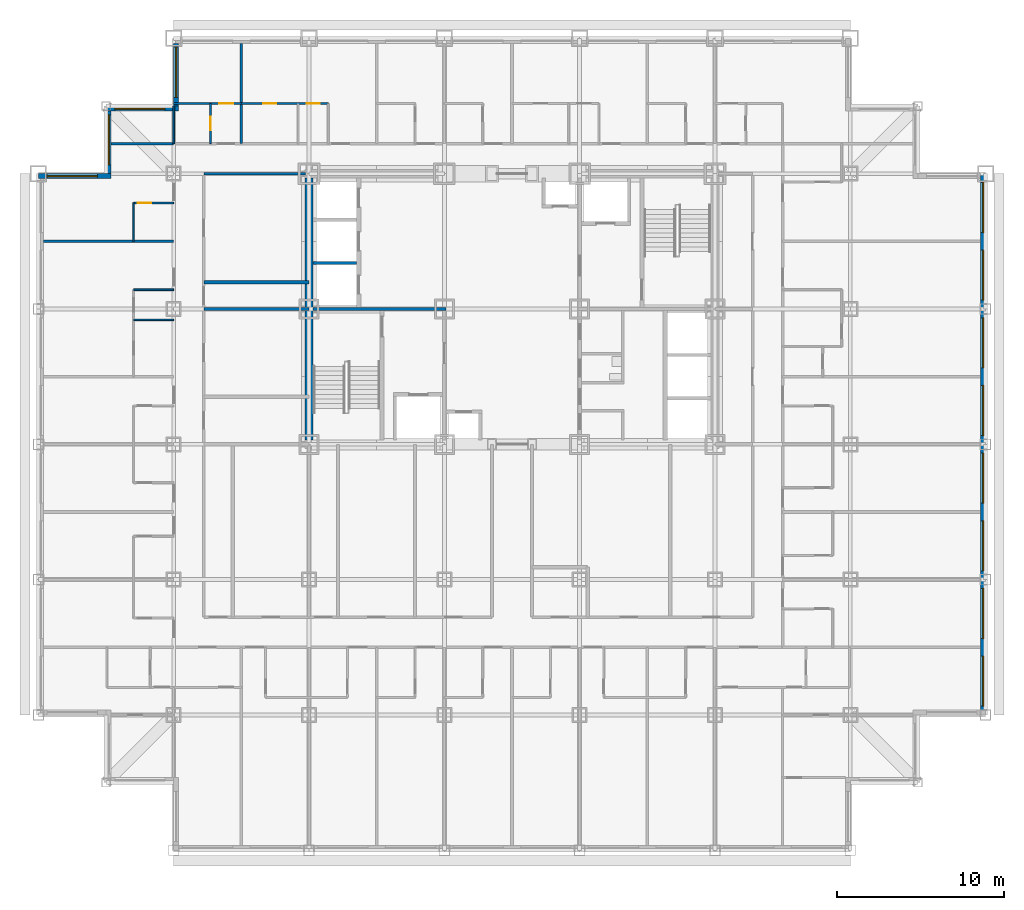
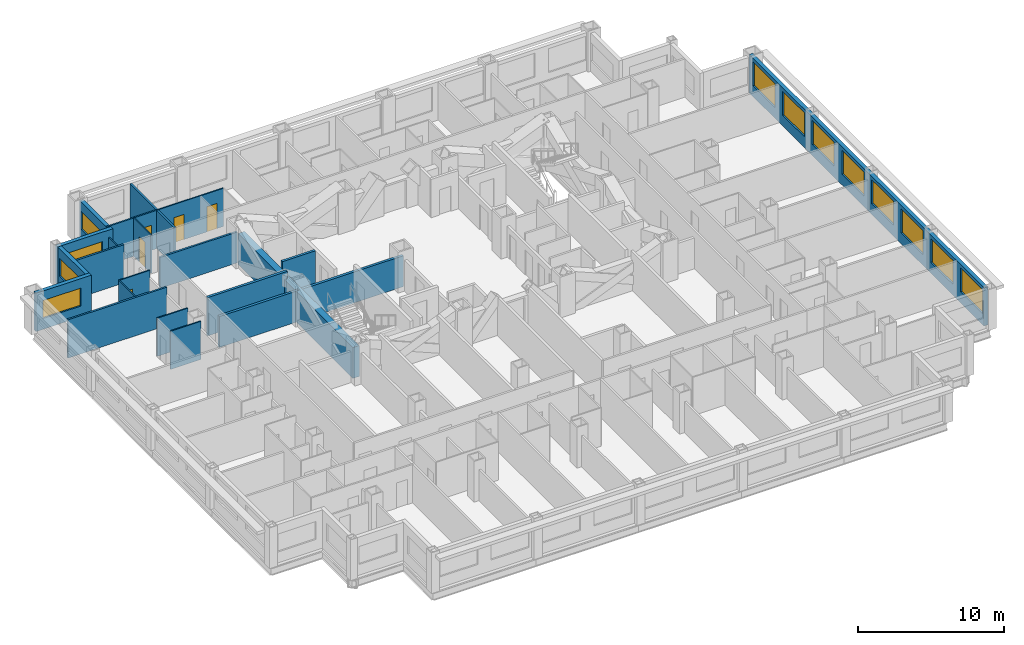
# One storey, part 8 of 13: 22 walls, 12 windows, 5 doors, 17 openings.
"""IFC4 building model written with IfcOpenShell, lengths in metres."""

from ifc_helpers import new_model, si_unit, direction, frame, frame_2d, origin, place, context, subcontext, project, spatial, rectangle, extrude, material, layer, layer_set, type_object, element, fill, save


model = new_model("IFC4")

# Units and contexts
model_context = context("Model", 3, precision=1e-05, world=origin(), true_north=direction((0.0, 1.0)))
body_context = subcontext(model_context, "Body", "Model", "MODEL_VIEW")
ifc_project = project(units=[si_unit("LENGTHUNIT", "METRE"), si_unit("AREAUNIT", "SQUARE_METRE"), si_unit("VOLUMEUNIT", "CUBIC_METRE"), si_unit("PLANEANGLEUNIT", "RADIAN"), si_unit("MASSUNIT", "GRAM", prefix="KILO")], contexts=[model_context])

# Site, building, storey
site_placement = place(None, origin())
site = spatial("IfcSite", under=ifc_project, at=site_placement, CompositionType="ELEMENT")
building_placement = place(site_placement, origin())
building = spatial("IfcBuilding", under=site, at=building_placement, Name="Kopane Lantern Tower", CompositionType="ELEMENT")
storey_placement = place(building_placement, frame((0.0, 0.0, 67.0)))
storey = spatial("IfcBuildingStorey", under=building, at=storey_placement, Name="L16", CompositionType="ELEMENT", Elevation=67.0)

# Wall, opening, door
ifc_material_1 = material(Name="Gypsum board on steel studs", Category="steel")
ifc_layer_1 = layer(ifc_material_1, 0.1201171875)
ifc_layer_set_1 = layer_set([ifc_layer_1], Name="APARTMENT INTERNAL WALL 120")
wall_type_1 = type_object("IfcWallType", Name="APARTMENT INTERNAL WALL 120", PredefinedType="PARTITIONING", material=ifc_layer_set_1)
wall_1_placement = place(storey_placement, frame((8.10009765625, 44.699951171875, 0.0), z_axis=(0.0, 0.0, 1.0), x_axis=(1.0, 0.0, 0.0)))
wall_1 = element("IfcWall", 1, at=wall_1_placement, inside=storey, type_object=wall_type_1, Name="Apartment Internal Wall 120 L16", PredefinedType="PARTITIONING", context=body_context, shape_type="SweptSolid", body=[
    extrude(rectangle(XDim=4.0498046875, YDim=0.1201171875, at=frame_2d((2.02490234375, 0.0))), origin(), (0.0, 0.0, 1.0), 3.18994140625),
])
opening_1_placement = place(wall_1_placement, frame((2.72509765625, 0.0, 0.0)))
opening_1 = element("IfcOpeningElement", 2, at=opening_1_placement, cuts=wall_1, Name="Opening L16-082", PredefinedType="OPENING", context=body_context, shape_type="SweptSolid", body=[
    extrude(rectangle(XDim=0.85009765625, YDim=2.10009765625, at=frame_2d((0.425048828125, 1.050048828125))), frame((0.0, 0.070068359375, 0.0), z_axis=(0.0, -1.0, 0.0), x_axis=(1.0, 0.0, 0.0)), (0.0, 0.0, 1.0), 0.14013671875),
])
ifc_material_2 = material(Name="Timber door set", Category="wood")
door_type_1 = type_object("IfcDoorType", Name="DOOR D4 850x2100", OperationType="SINGLE_SWING_LEFT", PredefinedType="DOOR", material=ifc_material_2)
door_1_placement = place(opening_1_placement, origin())
door_1 = element("IfcDoor", 3, at=door_1_placement, inside=storey, type_object=door_type_1, Name="Door L16-082", OperationType="SINGLE_SWING_LEFT", OverallHeight=2.10009765625, OverallWidth=0.85009765625, PredefinedType="DOOR", context=body_context, shape_type="SweptSolid", body=[
    extrude(rectangle(XDim=0.85009765625, YDim=2.10009765625, at=frame_2d((0.425048828125, 1.050048828125))), frame((0.0, 0.02490234375, 0.0), z_axis=(0.0, -1.0, 0.0), x_axis=(1.0, 0.0, 0.0)), (0.0, 0.0, 1.0), 0.050048828125),
])
fill(opening_1, door_1)

# Wall, openings, doors
ifc_material_3 = material(Name="Moisture-resistant board on steel studs", Category="steel")
ifc_layer_2 = layer(ifc_material_3, 0.10009765625)
ifc_layer_set_2 = layer_set([ifc_layer_2], Name="BATHROOM WALL 100")
wall_type_2 = type_object("IfcWallType", Name="BATHROOM WALL 100", PredefinedType="PARTITIONING", material=ifc_layer_set_2)
wall_2_placement = place(storey_placement, frame((12.14990234375, 44.699951171875, 0.0), z_axis=(0.0, 0.0, 1.0), x_axis=(1.0, 0.0, 0.0)))
wall_2 = element("IfcWall", 4, at=wall_2_placement, inside=storey, type_object=wall_type_2, Name="Bathroom Wall 100 L16", PredefinedType="PARTITIONING", context=body_context, shape_type="SweptSolid", body=[
    extrude(rectangle(XDim=5.2001953125, YDim=0.10009765625, at=frame_2d((2.60009765625, 0.0))), origin(), (0.0, 0.0, 1.0), 3.18994140625),
])
opening_2_placement = place(wall_2_placement, frame((1.300048828125, 0.0, 0.0)))
opening_2 = element("IfcOpeningElement", 5, at=opening_2_placement, cuts=wall_2, Name="Opening L16-029", PredefinedType="OPENING", context=body_context, shape_type="SweptSolid", body=[
    extrude(rectangle(XDim=0.800048828125, YDim=2.10009765625, at=frame_2d((0.39990234375, 1.050048828125))), frame((0.0, 0.06005859375, 0.0), z_axis=(0.0, -1.0, 0.0), x_axis=(1.0, 0.0, 0.0)), (0.0, 0.0, 1.0), 0.1201171875),
])
opening_3_placement = place(wall_2_placement, frame((3.89990234375, 0.0, 0.0)))
opening_3 = element("IfcOpeningElement", 6, at=opening_3_placement, cuts=wall_2, Name="Opening L16-030", PredefinedType="OPENING", context=body_context, shape_type="SweptSolid", body=[
    extrude(rectangle(XDim=0.800048828125, YDim=2.10009765625, at=frame_2d((0.39990234375, 1.050048828125))), frame((0.0, 0.06005859375, 0.0), z_axis=(0.0, -1.0, 0.0), x_axis=(1.0, 0.0, 0.0)), (0.0, 0.0, 1.0), 0.1201171875),
])
ifc_material_4 = material(Name="Timber door set", Category="wood")
door_type_2 = type_object("IfcDoorType", Name="DOOR D2 800x2100", OperationType="SINGLE_SWING_LEFT", PredefinedType="DOOR", material=ifc_material_4)
door_2_placement = place(opening_2_placement, origin())
door_2 = element("IfcDoor", 7, at=door_2_placement, inside=storey, type_object=door_type_2, Name="Door L16-029", OperationType="SINGLE_SWING_LEFT", OverallHeight=2.10009765625, OverallWidth=0.800048828125, PredefinedType="DOOR", context=body_context, shape_type="SweptSolid", body=[
    extrude(rectangle(XDim=0.800048828125, YDim=2.10009765625, at=frame_2d((0.39990234375, 1.050048828125))), frame((0.0, 0.02490234375, 0.0), z_axis=(0.0, -1.0, 0.0), x_axis=(1.0, 0.0, 0.0)), (0.0, 0.0, 1.0), 0.050048828125),
])
fill(opening_2, door_2)
door_3_placement = place(opening_3_placement, origin())
door_3 = element("IfcDoor", 8, at=door_3_placement, inside=storey, type_object=door_type_2, Name="Door L16-030", OperationType="SINGLE_SWING_LEFT", OverallHeight=2.10009765625, OverallWidth=0.800048828125, PredefinedType="DOOR", context=body_context, shape_type="SweptSolid", body=[
    extrude(rectangle(XDim=0.800048828125, YDim=2.10009765625, at=frame_2d((0.39990234375, 1.050048828125))), frame((0.0, 0.02490234375, 0.0), z_axis=(0.0, -1.0, 0.0), x_axis=(1.0, 0.0, 0.0)), (0.0, 0.0, 1.0), 0.050048828125),
])
fill(opening_3, door_3)

# Walls
for number, where, z_axis, x_axis, name in (
    (9, (8.10009765625, 31.75, 0.0), (0.0, 0.0, 1.0), (-1.0, 0.0, 0.0), "Bathroom Wall 100 L16"),
    (10, (8.10009765625, 33.550048828125, 0.0), (0.0, 0.0, 1.0), (-1.0, 0.0, 0.0), "Bathroom Wall 100 L16"),
):
    element("IfcWall", number, at=place(storey_placement, frame(where, z_axis=z_axis, x_axis=x_axis)), inside=storey, type_object=wall_type_2, Name=name, PredefinedType="PARTITIONING", context=body_context, shape_type="SweptSolid", body=[
        extrude(rectangle(XDim=2.400146484375, YDim=0.10009765625, at=frame_2d((1.2001953125, 0.0))), origin(), (0.0, 0.0, 1.0), 3.18994140625),
    ])
wall_3_placement = place(storey_placement, frame((5.699951171875, 36.449951171875, 0.0), z_axis=(0.0, 0.0, 1.0), x_axis=(0.0, 1.0, 0.0)))
element("IfcWall", 11, at=wall_3_placement, inside=storey, type_object=wall_type_2, Name="Bathroom Wall 100 L16", PredefinedType="PARTITIONING", context=body_context, shape_type="SweptSolid", body=[
    extrude(rectangle(XDim=2.300048828125, YDim=0.10009765625, at=frame_2d((1.14990234375, 0.0))), origin(), (0.0, 0.0, 1.0), 3.18994140625),
])

# Wall, opening, door
wall_4_placement = place(storey_placement, frame((8.10009765625, 38.75, 0.0), z_axis=(0.0, 0.0, 1.0), x_axis=(-1.0, 0.0, 0.0)))
wall_4 = element("IfcWall", 12, at=wall_4_placement, inside=storey, type_object=wall_type_2, Name="Bathroom Wall 100 L16", PredefinedType="PARTITIONING", context=body_context, shape_type="SweptSolid", body=[
    extrude(rectangle(XDim=2.400146484375, YDim=0.10009765625, at=frame_2d((1.2001953125, 0.0))), origin(), (0.0, 0.0, 1.0), 3.18994140625),
])
opening_4_placement = place(wall_4_placement, frame((1.35009765625, 0.0, 0.0)))
opening_4 = element("IfcOpeningElement", 13, at=opening_4_placement, cuts=wall_4, Name="Opening L16-052", PredefinedType="OPENING", context=body_context, shape_type="SweptSolid", body=[
    extrude(rectangle(XDim=0.800048828125, YDim=2.10009765625, at=frame_2d((0.39990234375, 1.050048828125))), frame((0.0, 0.06005859375, 0.0), z_axis=(0.0, -1.0, 0.0), x_axis=(1.0, 0.0, 0.0)), (0.0, 0.0, 1.0), 0.1201171875),
])
door_4_placement = place(opening_4_placement, origin())
door_4 = element("IfcDoor", 14, at=door_4_placement, inside=storey, type_object=door_type_2, Name="Door L16-052", OperationType="SINGLE_SWING_RIGHT", OverallHeight=2.10009765625, OverallWidth=0.800048828125, PredefinedType="DOOR", context=body_context, shape_type="SweptSolid", body=[
    extrude(rectangle(XDim=0.800048828125, YDim=2.10009765625, at=frame_2d((0.39990234375, 1.050048828125))), frame((0.0, 0.02490234375, 0.0), z_axis=(0.0, -1.0, 0.0), x_axis=(1.0, 0.0, 0.0)), (0.0, 0.0, 1.0), 0.050048828125),
])
fill(opening_4, door_4)

wall_5_placement = place(storey_placement, frame((10.300048828125, 42.300048828125, 0.0), z_axis=(0.0, 0.0, 1.0), x_axis=(0.0, 1.0, 0.0)))
wall_5 = element("IfcWall", 15, at=wall_5_placement, inside=storey, type_object=wall_type_2, Name="Bathroom Wall 100 L16", PredefinedType="PARTITIONING", context=body_context, shape_type="SweptSolid", body=[
    extrude(rectangle(XDim=2.39990234375, YDim=0.10009765625, at=frame_2d((1.199951171875, 0.0))), origin(), (0.0, 0.0, 1.0), 3.18994140625),
])
opening_5_placement = place(wall_5_placement, frame((0.800048828125, 0.0, 0.0)))
opening_5 = element("IfcOpeningElement", 16, at=opening_5_placement, cuts=wall_5, Name="Opening L16-080", PredefinedType="OPENING", context=body_context, shape_type="SweptSolid", body=[
    extrude(rectangle(XDim=0.800048828125, YDim=2.10009765625, at=frame_2d((0.39990234375, 1.050048828125))), frame((0.0, 0.06005859375, 0.0), z_axis=(0.0, -1.0, 0.0), x_axis=(1.0, 0.0, 0.0)), (0.0, 0.0, 1.0), 0.1201171875),
])
door_5_placement = place(opening_5_placement, origin())
door_5 = element("IfcDoor", 17, at=door_5_placement, inside=storey, type_object=door_type_2, Name="Door L16-080", OperationType="SINGLE_SWING_LEFT", OverallHeight=2.10009765625, OverallWidth=0.800048828125, PredefinedType="DOOR", context=body_context, shape_type="SweptSolid", body=[
    extrude(rectangle(XDim=0.800048828125, YDim=2.10009765625, at=frame_2d((0.39990234375, 1.050048828125))), frame((0.0, 0.02490234375, 0.0), z_axis=(0.0, -1.0, 0.0), x_axis=(1.0, 0.0, 0.0)), (0.0, 0.0, 1.0), 0.050048828125),
])
fill(opening_5, door_5)

# Walls
wall_6_placement = place(storey_placement, frame((8.10009765625, 42.300048828125, 0.0), z_axis=(0.0, 0.0, 1.0), x_axis=(0.0, 1.0, 0.0)))
element("IfcWall", 18, at=wall_6_placement, inside=storey, type_object=wall_type_2, Name="Bathroom Wall 100 L16", PredefinedType="PARTITIONING", context=body_context, shape_type="SweptSolid", body=[
    extrude(rectangle(XDim=2.25, YDim=0.10009765625, at=frame_2d((1.125, 0.0))), origin(), (0.0, 0.0, 1.0), 2.577880859375),
])
ifc_material_5 = material(Name="Gypsum shaft wall EI 120", Category="gypsum")
ifc_layer_3 = layer(ifc_material_5, 0.5)
ifc_layer_set_3 = layer_set([ifc_layer_3], Name="CORE PERIMETER WALL 500 EI 120")
wall_type_3 = type_object("IfcWallType", Name="CORE PERIMETER WALL 500 EI 120", PredefinedType="SOLIDWALL", material=ifc_layer_set_3)
wall_7_placement = place(storey_placement, frame((16.199951171875, 24.550048828125, 0.0), z_axis=(0.0, 0.0, 1.0), x_axis=(0.0, 1.0, 0.0)))
element("IfcWall", 19, at=wall_7_placement, inside=storey, type_object=wall_type_3, Name="Core shaft wall L16 PW", PredefinedType="SOLIDWALL", context=body_context, shape_type="SweptSolid", body=[
    extrude(rectangle(XDim=15.699951171875, YDim=0.5, at=frame_2d((7.85009765625, 0.0))), origin(), (0.0, 0.0, 1.0), 2.577880859375),
])
ifc_material_6 = material(Name="Gypsum board on steel studs", Category="steel")
ifc_layer_4 = layer(ifc_material_6, 0.14990234375)
ifc_layer_set_4 = layer_set([ifc_layer_4], Name="CORRIDOR WALL 150 EI 60")
wall_type_4 = type_object("IfcWallType", Name="CORRIDOR WALL 150 EI 60", PredefinedType="PARTITIONING", material=ifc_layer_set_4)
wall_8_placement = place(storey_placement, frame((16.0, 40.5, 0.0), z_axis=(0.0, 0.0, 1.0), x_axis=(-1.0, 0.0, 0.0)))
element("IfcWall", 20, at=wall_8_placement, inside=storey, type_object=wall_type_4, Name="Corridor Wall 150 Ei 60 L16", PredefinedType="PARTITIONING", context=body_context, shape_type="SweptSolid", body=[
    extrude(rectangle(XDim=6.10009765625, YDim=0.14990234375, at=frame_2d((3.050048828125, 0.0))), origin(), (0.0, 0.0, 1.0), 2.577880859375),
])
ifc_material_7 = material(Name="Gypsum board on steel studs", Category="steel")
ifc_layer_5 = layer(ifc_material_7, 0.14990234375)
ifc_layer_set_5 = layer_set([ifc_layer_5], Name="DEMISING WALL 150 EI 60")
wall_type_5 = type_object("IfcWallType", Name="DEMISING WALL 150 EI 60", PredefinedType="PARTITIONING", material=ifc_layer_set_5)
wall_9_placement = place(storey_placement, frame((8.10009765625, 36.449951171875, 0.0), z_axis=(0.0, 0.0, 1.0), x_axis=(-1.0, 0.0, 0.0)))
element("IfcWall", 21, at=wall_9_placement, inside=storey, type_object=wall_type_5, Name="Demising Wall 150 Ei 60 L16", PredefinedType="PARTITIONING", context=body_context, shape_type="SweptSolid", body=[
    extrude(rectangle(XDim=7.800048828125, YDim=0.14990234375, at=frame_2d((3.89990234375, 0.0))), origin(), (0.0, 0.0, 1.0), 3.18994140625),
])
wall_10_placement = place(storey_placement, frame((4.35009765625, 42.300048828125, 0.0), z_axis=(0.0, 0.0, 1.0), x_axis=(1.0, 0.0, 0.0)))
element("IfcWall", 22, at=wall_10_placement, inside=storey, type_object=wall_type_5, Name="Demising Wall 150 Ei 60 L16", PredefinedType="PARTITIONING", context=body_context, shape_type="SweptSolid", body=[
    extrude(rectangle(XDim=3.75, YDim=0.14990234375, at=frame_2d((1.875, 0.0))), origin(), (0.0, 0.0, 1.0), 3.18994140625),
])
wall_11_placement = place(storey_placement, frame((12.14990234375, 42.300048828125, 0.0), z_axis=(0.0, 0.0, 1.0), x_axis=(0.0, 1.0, 0.0)))
element("IfcWall", 23, at=wall_11_placement, inside=storey, type_object=wall_type_5, Name="Demising Wall 150 Ei 60 L16", PredefinedType="PARTITIONING", context=body_context, shape_type="SweptSolid", body=[
    extrude(rectangle(XDim=6.0, YDim=0.14990234375, at=frame_2d((3.0, 0.0))), origin(), (0.0, 0.0, 1.0), 3.18994140625),
])

# Wall, openings, windows
ifc_material_8 = material(Name="Terracotta rainscreen on light steel framing", Category="masonry")
ifc_layer_6 = layer(ifc_material_8, 0.300048828125)
ifc_layer_set_6 = layer_set([ifc_layer_6], Name="EXTERNAL WALL EW1 300 TERRACOTTA")
wall_type_6 = type_object("IfcWallType", Name="EXTERNAL WALL EW1 300 TERRACOTTA", PredefinedType="SOLIDWALL", material=ifc_layer_set_6)
wall_12_placement = place(storey_placement, frame((56.550048828125, 8.39990234375, 0.0), z_axis=(0.0, 0.0, 1.0), x_axis=(0.0, 1.0, 0.0)))
wall_12 = element("IfcWall", 24, at=wall_12_placement, inside=storey, type_object=wall_type_6, Name="External wall E L16", PredefinedType="SOLIDWALL", context=body_context, shape_type="SweptSolid", body=[
    extrude(rectangle(XDim=32.10009765625, YDim=0.300048828125, at=frame_2d((16.050048828125, 0.0))), origin(), (0.0, 0.0, 1.0), 3.18994140625),
])
opening_6_placement = place(wall_12_placement, frame((0.22509765625, 0.0, 0.89990234375)))
opening_6 = element("IfcOpeningElement", 25, at=opening_6_placement, cuts=wall_12, Name="Opening WR300200", PredefinedType="OPENING", context=body_context, shape_type="SweptSolid", body=[
    extrude(rectangle(XDim=3.0, YDim=2.0, at=frame_2d((1.5, 1.0))), frame((0.0, 0.159912109375, 0.0), z_axis=(0.0, -1.0, 0.0), x_axis=(1.0, 0.0, 0.0)), (0.0, 0.0, 1.0), 0.320068359375),
])
opening_7_placement = place(wall_12_placement, frame((4.27490234375, 0.0, 0.89990234375)))
opening_7 = element("IfcOpeningElement", 26, at=opening_7_placement, cuts=wall_12, Name="Opening WR300200", PredefinedType="OPENING", context=body_context, shape_type="SweptSolid", body=[
    extrude(rectangle(XDim=3.0, YDim=2.0, at=frame_2d((1.5, 1.0))), frame((0.0, 0.159912109375, 0.0), z_axis=(0.0, -1.0, 0.0), x_axis=(1.0, 0.0, 0.0)), (0.0, 0.0, 1.0), 0.320068359375),
])
opening_8_placement = place(wall_12_placement, frame((8.324951171875, 0.0, 0.89990234375)))
opening_8 = element("IfcOpeningElement", 27, at=opening_8_placement, cuts=wall_12, Name="Opening WR300200", PredefinedType="OPENING", context=body_context, shape_type="SweptSolid", body=[
    extrude(rectangle(XDim=3.0, YDim=2.0, at=frame_2d((1.5, 1.0))), frame((0.0, 0.159912109375, 0.0), z_axis=(0.0, -1.0, 0.0), x_axis=(1.0, 0.0, 0.0)), (0.0, 0.0, 1.0), 0.320068359375),
])
opening_9_placement = place(wall_12_placement, frame((12.375, 0.0, 0.89990234375)))
opening_9 = element("IfcOpeningElement", 28, at=opening_9_placement, cuts=wall_12, Name="Opening WR300200", PredefinedType="OPENING", context=body_context, shape_type="SweptSolid", body=[
    extrude(rectangle(XDim=3.0, YDim=2.0, at=frame_2d((1.5, 1.0))), frame((0.0, 0.159912109375, 0.0), z_axis=(0.0, -1.0, 0.0), x_axis=(1.0, 0.0, 0.0)), (0.0, 0.0, 1.0), 0.320068359375),
])
opening_10_placement = place(wall_12_placement, frame((16.425048828125, 0.0, 0.89990234375)))
opening_10 = element("IfcOpeningElement", 29, at=opening_10_placement, cuts=wall_12, Name="Opening WR300200", PredefinedType="OPENING", context=body_context, shape_type="SweptSolid", body=[
    extrude(rectangle(XDim=3.0, YDim=2.0, at=frame_2d((1.5, 1.0))), frame((0.0, 0.159912109375, 0.0), z_axis=(0.0, -1.0, 0.0), x_axis=(1.0, 0.0, 0.0)), (0.0, 0.0, 1.0), 0.320068359375),
])
opening_11_placement = place(wall_12_placement, frame((20.47509765625, 0.0, 0.89990234375)))
opening_11 = element("IfcOpeningElement", 30, at=opening_11_placement, cuts=wall_12, Name="Opening WR300200", PredefinedType="OPENING", context=body_context, shape_type="SweptSolid", body=[
    extrude(rectangle(XDim=3.0, YDim=2.0, at=frame_2d((1.5, 1.0))), frame((0.0, 0.159912109375, 0.0), z_axis=(0.0, -1.0, 0.0), x_axis=(1.0, 0.0, 0.0)), (0.0, 0.0, 1.0), 0.320068359375),
])
opening_12_placement = place(wall_12_placement, frame((24.52490234375, 0.0, 0.89990234375)))
opening_12 = element("IfcOpeningElement", 31, at=opening_12_placement, cuts=wall_12, Name="Opening WR300200", PredefinedType="OPENING", context=body_context, shape_type="SweptSolid", body=[
    extrude(rectangle(XDim=3.0, YDim=2.0, at=frame_2d((1.5, 1.0))), frame((0.0, 0.159912109375, 0.0), z_axis=(0.0, -1.0, 0.0), x_axis=(1.0, 0.0, 0.0)), (0.0, 0.0, 1.0), 0.320068359375),
])
opening_13_placement = place(wall_12_placement, frame((28.574951171875, 0.0, 0.89990234375)))
opening_13 = element("IfcOpeningElement", 32, at=opening_13_placement, cuts=wall_12, Name="Opening WR300200", PredefinedType="OPENING", context=body_context, shape_type="SweptSolid", body=[
    extrude(rectangle(XDim=3.0, YDim=2.0, at=frame_2d((1.5, 1.0))), frame((0.0, 0.159912109375, 0.0), z_axis=(0.0, -1.0, 0.0), x_axis=(1.0, 0.0, 0.0)), (0.0, 0.0, 1.0), 0.320068359375),
])
ifc_material_9 = material(Name="Aluminium and clear glass", Category="aluminium")
window_type_1 = type_object("IfcWindowType", Name="RIBBON WINDOW WR300200 3000x2000", PartitioningType="SINGLE_PANEL", PredefinedType="WINDOW", material=ifc_material_9)
window_1_placement = place(opening_6_placement, origin())
window_1 = element("IfcWindow", 33, at=window_1_placement, inside=storey, type_object=window_type_1, Name="Window E L16", OverallHeight=2.0, OverallWidth=3.0, PartitioningType="SINGLE_PANEL", PredefinedType="WINDOW", context=body_context, shape_type="SweptSolid", body=[
    extrude(rectangle(XDim=3.0, YDim=2.0, at=frame_2d((1.5, 1.0))), frame((0.0, 0.030029296875, 0.0), z_axis=(0.0, -1.0, 0.0), x_axis=(1.0, 0.0, 0.0)), (0.0, 0.0, 1.0), 0.06005859375),
])
fill(opening_6, window_1)
window_2_placement = place(opening_7_placement, origin())
window_2 = element("IfcWindow", 34, at=window_2_placement, inside=storey, type_object=window_type_1, Name="Window E L16", OverallHeight=2.0, OverallWidth=3.0, PartitioningType="SINGLE_PANEL", PredefinedType="WINDOW", context=body_context, shape_type="SweptSolid", body=[
    extrude(rectangle(XDim=3.0, YDim=2.0, at=frame_2d((1.5, 1.0))), frame((0.0, 0.030029296875, 0.0), z_axis=(0.0, -1.0, 0.0), x_axis=(1.0, 0.0, 0.0)), (0.0, 0.0, 1.0), 0.06005859375),
])
fill(opening_7, window_2)
window_3_placement = place(opening_8_placement, origin())
window_3 = element("IfcWindow", 35, at=window_3_placement, inside=storey, type_object=window_type_1, Name="Window E L16", OverallHeight=2.0, OverallWidth=3.0, PartitioningType="SINGLE_PANEL", PredefinedType="WINDOW", context=body_context, shape_type="SweptSolid", body=[
    extrude(rectangle(XDim=3.0, YDim=2.0, at=frame_2d((1.5, 1.0))), frame((0.0, 0.030029296875, 0.0), z_axis=(0.0, -1.0, 0.0), x_axis=(1.0, 0.0, 0.0)), (0.0, 0.0, 1.0), 0.06005859375),
])
fill(opening_8, window_3)
window_4_placement = place(opening_9_placement, origin())
window_4 = element("IfcWindow", 36, at=window_4_placement, inside=storey, type_object=window_type_1, Name="Window E L16", OverallHeight=2.0, OverallWidth=3.0, PartitioningType="SINGLE_PANEL", PredefinedType="WINDOW", context=body_context, shape_type="SweptSolid", body=[
    extrude(rectangle(XDim=3.0, YDim=2.0, at=frame_2d((1.5, 1.0))), frame((0.0, 0.030029296875, 0.0), z_axis=(0.0, -1.0, 0.0), x_axis=(1.0, 0.0, 0.0)), (0.0, 0.0, 1.0), 0.06005859375),
])
fill(opening_9, window_4)
window_5_placement = place(opening_10_placement, origin())
window_5 = element("IfcWindow", 37, at=window_5_placement, inside=storey, type_object=window_type_1, Name="Window E L16", OverallHeight=2.0, OverallWidth=3.0, PartitioningType="SINGLE_PANEL", PredefinedType="WINDOW", context=body_context, shape_type="SweptSolid", body=[
    extrude(rectangle(XDim=3.0, YDim=2.0, at=frame_2d((1.5, 1.0))), frame((0.0, 0.030029296875, 0.0), z_axis=(0.0, -1.0, 0.0), x_axis=(1.0, 0.0, 0.0)), (0.0, 0.0, 1.0), 0.06005859375),
])
fill(opening_10, window_5)
window_6_placement = place(opening_11_placement, origin())
window_6 = element("IfcWindow", 38, at=window_6_placement, inside=storey, type_object=window_type_1, Name="Window E L16", OverallHeight=2.0, OverallWidth=3.0, PartitioningType="SINGLE_PANEL", PredefinedType="WINDOW", context=body_context, shape_type="SweptSolid", body=[
    extrude(rectangle(XDim=3.0, YDim=2.0, at=frame_2d((1.5, 1.0))), frame((0.0, 0.030029296875, 0.0), z_axis=(0.0, -1.0, 0.0), x_axis=(1.0, 0.0, 0.0)), (0.0, 0.0, 1.0), 0.06005859375),
])
fill(opening_11, window_6)
window_7_placement = place(opening_12_placement, origin())
window_7 = element("IfcWindow", 39, at=window_7_placement, inside=storey, type_object=window_type_1, Name="Window E L16", OverallHeight=2.0, OverallWidth=3.0, PartitioningType="SINGLE_PANEL", PredefinedType="WINDOW", context=body_context, shape_type="SweptSolid", body=[
    extrude(rectangle(XDim=3.0, YDim=2.0, at=frame_2d((1.5, 1.0))), frame((0.0, 0.030029296875, 0.0), z_axis=(0.0, -1.0, 0.0), x_axis=(1.0, 0.0, 0.0)), (0.0, 0.0, 1.0), 0.06005859375),
])
fill(opening_12, window_7)
window_8_placement = place(opening_13_placement, origin())
window_8 = element("IfcWindow", 40, at=window_8_placement, inside=storey, type_object=window_type_1, Name="Window E L16", OverallHeight=2.0, OverallWidth=3.0, PartitioningType="SINGLE_PANEL", PredefinedType="WINDOW", context=body_context, shape_type="SweptSolid", body=[
    extrude(rectangle(XDim=3.0, YDim=2.0, at=frame_2d((1.5, 1.0))), frame((0.0, 0.030029296875, 0.0), z_axis=(0.0, -1.0, 0.0), x_axis=(1.0, 0.0, 0.0)), (0.0, 0.0, 1.0), 0.06005859375),
])
fill(opening_13, window_8)

# Wall, opening, window
wall_13_placement = place(storey_placement, frame((8.25, 48.300048828125, 0.0), z_axis=(0.0, 0.0, 1.0), x_axis=(0.0, -1.0, 0.0)))
wall_13 = element("IfcWall", 41, at=wall_13_placement, inside=storey, type_object=wall_type_6, Name="External wall W L16", PredefinedType="SOLIDWALL", context=body_context, shape_type="SweptSolid", body=[
    extrude(rectangle(XDim=3.75, YDim=0.300048828125, at=frame_2d((1.875, 0.0))), origin(), (0.0, 0.0, 1.0), 3.18994140625),
])
opening_14_placement = place(wall_13_placement, frame((0.22509765625, 0.0, 0.89990234375)))
opening_14 = element("IfcOpeningElement", 42, at=opening_14_placement, cuts=wall_13, Name="Opening WR300150", PredefinedType="OPENING", context=body_context, shape_type="SweptSolid", body=[
    extrude(rectangle(XDim=3.0, YDim=1.5, at=frame_2d((1.5, 0.75))), frame((0.0, 0.159912109375, 0.0), z_axis=(0.0, -1.0, 0.0), x_axis=(1.0, 0.0, 0.0)), (0.0, 0.0, 1.0), 0.320068359375),
])
ifc_material_10 = material(Name="Aluminium and clear glass", Category="aluminium")
window_type_2 = type_object("IfcWindowType", Name="RIBBON WINDOW WR300150 3000x1500", PartitioningType="SINGLE_PANEL", PredefinedType="WINDOW", material=ifc_material_10)
window_9_placement = place(opening_14_placement, origin())
window_9 = element("IfcWindow", 43, at=window_9_placement, inside=storey, type_object=window_type_2, Name="Window W L16", OverallHeight=1.5, OverallWidth=3.0, PartitioningType="SINGLE_PANEL", PredefinedType="WINDOW", context=body_context, shape_type="SweptSolid", body=[
    extrude(rectangle(XDim=3.0, YDim=1.5, at=frame_2d((1.5, 0.75))), frame((0.0, 0.030029296875, 0.0), z_axis=(0.0, -1.0, 0.0), x_axis=(1.0, 0.0, 0.0)), (0.0, 0.0, 1.0), 0.06005859375),
])
fill(opening_14, window_9)

wall_14_placement = place(storey_placement, frame((8.39990234375, 44.39990234375, 0.0), z_axis=(0.0, 0.0, 1.0), x_axis=(-1.0, 0.0, 0.0)))
wall_14 = element("IfcWall", 44, at=wall_14_placement, inside=storey, type_object=wall_type_6, Name="External wall N L16", PredefinedType="SOLIDWALL", context=body_context, shape_type="SweptSolid", body=[
    extrude(rectangle(XDim=4.349853515625, YDim=0.300048828125, at=frame_2d((2.1748046875, 0.0))), origin(), (0.0, 0.0, 1.0), 3.18994140625),
])
opening_15_placement = place(wall_14_placement, frame((0.824951171875, 0.0, 0.89990234375)))
opening_15 = element("IfcOpeningElement", 45, at=opening_15_placement, cuts=wall_14, Name="Opening WR300150", PredefinedType="OPENING", context=body_context, shape_type="SweptSolid", body=[
    extrude(rectangle(XDim=3.0, YDim=1.5, at=frame_2d((1.5, 0.75))), frame((0.0, 0.159912109375, 0.0), z_axis=(0.0, -1.0, 0.0), x_axis=(1.0, 0.0, 0.0)), (0.0, 0.0, 1.0), 0.320068359375),
])
window_10_placement = place(opening_15_placement, origin())
window_10 = element("IfcWindow", 46, at=window_10_placement, inside=storey, type_object=window_type_2, Name="Window N L16", OverallHeight=1.5, OverallWidth=3.0, PartitioningType="SINGLE_PANEL", PredefinedType="WINDOW", context=body_context, shape_type="SweptSolid", body=[
    extrude(rectangle(XDim=3.0, YDim=1.5, at=frame_2d((1.5, 0.75))), frame((0.0, 0.030029296875, 0.0), z_axis=(0.0, -1.0, 0.0), x_axis=(1.0, 0.0, 0.0)), (0.0, 0.0, 1.0), 0.06005859375),
])
fill(opening_15, window_10)

wall_15_placement = place(storey_placement, frame((4.199951171875, 44.25, 0.0), z_axis=(0.0, 0.0, 1.0), x_axis=(0.0, -1.0, 0.0)))
wall_15 = element("IfcWall", 47, at=wall_15_placement, inside=storey, type_object=wall_type_6, Name="External wall W L16", PredefinedType="SOLIDWALL", context=body_context, shape_type="SweptSolid", body=[
    extrude(rectangle(XDim=3.75, YDim=0.300048828125, at=frame_2d((1.875, 0.0))), origin(), (0.0, 0.0, 1.0), 3.18994140625),
])
opening_16_placement = place(wall_15_placement, frame((0.22509765625, 0.0, 0.89990234375)))
opening_16 = element("IfcOpeningElement", 48, at=opening_16_placement, cuts=wall_15, Name="Opening WR300150", PredefinedType="OPENING", context=body_context, shape_type="SweptSolid", body=[
    extrude(rectangle(XDim=3.0, YDim=1.5, at=frame_2d((1.5, 0.75))), frame((0.0, 0.159912109375, 0.0), z_axis=(0.0, -1.0, 0.0), x_axis=(1.0, 0.0, 0.0)), (0.0, 0.0, 1.0), 0.320068359375),
])
window_11_placement = place(opening_16_placement, origin())
window_11 = element("IfcWindow", 49, at=window_11_placement, inside=storey, type_object=window_type_2, Name="Window W L16", OverallHeight=1.5, OverallWidth=3.0, PartitioningType="SINGLE_PANEL", PredefinedType="WINDOW", context=body_context, shape_type="SweptSolid", body=[
    extrude(rectangle(XDim=3.0, YDim=1.5, at=frame_2d((1.5, 0.75))), frame((0.0, 0.030029296875, 0.0), z_axis=(0.0, -1.0, 0.0), x_axis=(1.0, 0.0, 0.0)), (0.0, 0.0, 1.0), 0.06005859375),
])
fill(opening_16, window_11)

wall_16_placement = place(storey_placement, frame((4.35009765625, 40.35009765625, 0.0), z_axis=(0.0, 0.0, 1.0), x_axis=(-1.0, 0.0, 0.0)))
wall_16 = element("IfcWall", 50, at=wall_16_placement, inside=storey, type_object=wall_type_6, Name="External wall N L16", PredefinedType="SOLIDWALL", context=body_context, shape_type="SweptSolid", body=[
    extrude(rectangle(XDim=4.35009765625, YDim=0.300048828125, at=frame_2d((2.175048828125, 0.0))), origin(), (0.0, 0.0, 1.0), 3.18994140625),
])
opening_17_placement = place(wall_16_placement, frame((0.824951171875, 0.0, 0.89990234375)))
opening_17 = element("IfcOpeningElement", 51, at=opening_17_placement, cuts=wall_16, Name="Opening WR300150", PredefinedType="OPENING", context=body_context, shape_type="SweptSolid", body=[
    extrude(rectangle(XDim=3.0, YDim=1.5, at=frame_2d((1.5, 0.75))), frame((0.0, 0.159912109375, 0.0), z_axis=(0.0, -1.0, 0.0), x_axis=(1.0, 0.0, 0.0)), (0.0, 0.0, 1.0), 0.320068359375),
])
window_12_placement = place(opening_17_placement, origin())
window_12 = element("IfcWindow", 52, at=window_12_placement, inside=storey, type_object=window_type_2, Name="Window N L16", OverallHeight=1.5, OverallWidth=3.0, PartitioningType="SINGLE_PANEL", PredefinedType="WINDOW", context=body_context, shape_type="SweptSolid", body=[
    extrude(rectangle(XDim=3.0, YDim=1.5, at=frame_2d((1.5, 0.75))), frame((0.0, 0.030029296875, 0.0), z_axis=(0.0, -1.0, 0.0), x_axis=(1.0, 0.0, 0.0)), (0.0, 0.0, 1.0), 0.06005859375),
])
fill(opening_17, window_12)

# Walls
ifc_material_11 = material(Name="Concrete masonry", Category="masonry")
ifc_layer_7 = layer(ifc_material_11, 0.199951171875)
ifc_layer_set_7 = layer_set([ifc_layer_7], Name="PLANT ROOM WALL 200 EI 120")
wall_type_7 = type_object("IfcWallType", Name="PLANT ROOM WALL 200 EI 120", PredefinedType="SOLIDWALL", material=ifc_layer_set_7)
wall_17_placement = place(storey_placement, frame((9.89990234375, 32.39990234375, 0.0), z_axis=(0.0, 0.0, 1.0), x_axis=(1.0, 0.0, 0.0)))
element("IfcWall", 53, at=wall_17_placement, inside=storey, type_object=wall_type_7, Name="Plant Room Wall 200 Ei 120 L16", PredefinedType="SOLIDWALL", context=body_context, shape_type="SweptSolid", body=[
    extrude(rectangle(XDim=6.300048828125, YDim=0.199951171875, at=frame_2d((3.14990234375, 0.0))), origin(), (0.0, 0.0, 1.0), 2.577880859375),
])
wall_18_placement = place(storey_placement, frame((9.89990234375, 34.0, 0.0), z_axis=(0.0, 0.0, 1.0), x_axis=(1.0, 0.0, 0.0)))
element("IfcWall", 54, at=wall_18_placement, inside=storey, type_object=wall_type_7, Name="Plant Room Wall 200 Ei 120 L16", PredefinedType="SOLIDWALL", context=body_context, shape_type="SweptSolid", body=[
    extrude(rectangle(XDim=6.300048828125, YDim=0.199951171875, at=frame_2d((3.14990234375, 0.0))), origin(), (0.0, 0.0, 1.0), 3.18994140625),
])
ifc_material_12 = material(Name="Gypsum shaft wall EI 120", Category="gypsum")
ifc_layer_8 = layer(ifc_material_12, 0.199951171875)
ifc_layer_set_8 = layer_set([ifc_layer_8], Name="SHAFT WALL 200 EI 120")
wall_type_8 = type_object("IfcWallType", Name="SHAFT WALL 200 EI 120", PredefinedType="SOLIDWALL", material=ifc_layer_set_8)
wall_19_placement = place(storey_placement, frame((16.449951171875, 32.39990234375, 0.0), z_axis=(0.0, 0.0, 1.0), x_axis=(1.0, 0.0, 0.0)))
element("IfcWall", 55, at=wall_19_placement, inside=storey, type_object=wall_type_8, Name="Core shaft wall L16 Y324W", PredefinedType="SOLIDWALL", context=body_context, shape_type="SweptSolid", body=[
    extrude(rectangle(XDim=7.949951171875, YDim=0.199951171875, at=frame_2d((3.97509765625, 0.0))), origin(), (0.0, 0.0, 1.0), 2.577880859375),
])
wall_20_placement = place(storey_placement, frame((16.449951171875, 35.14990234375, 0.0), z_axis=(0.0, 0.0, 1.0), x_axis=(1.0, 0.0, 0.0)))
element("IfcWall", 56, at=wall_20_placement, inside=storey, type_object=wall_type_8, Name="Core shaft wall L16 YLH12", PredefinedType="SOLIDWALL", context=body_context, shape_type="SweptSolid", body=[
    extrude(rectangle(XDim=2.60009765625, YDim=0.199951171875, at=frame_2d((1.300048828125, 0.0))), origin(), (0.0, 0.0, 1.0), 3.18994140625),
])

save(model, "model.ifc")
